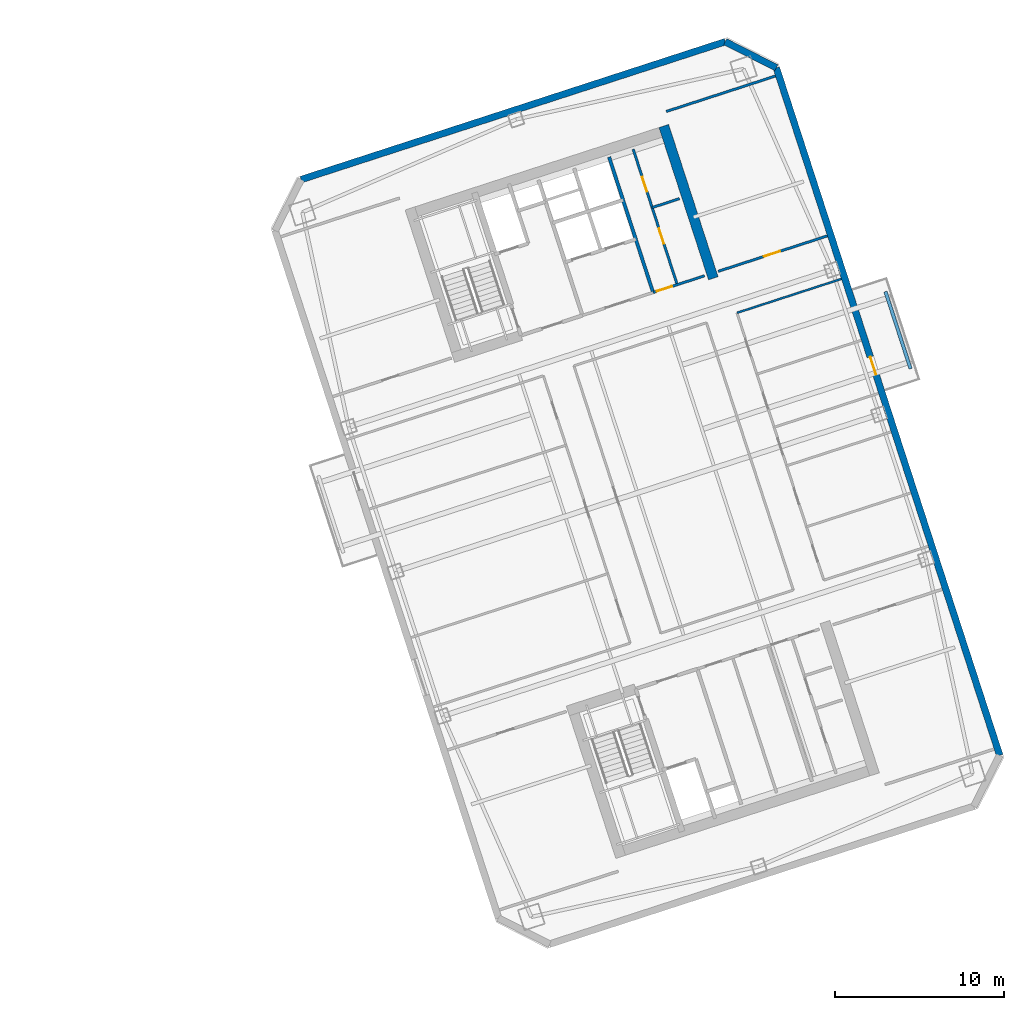
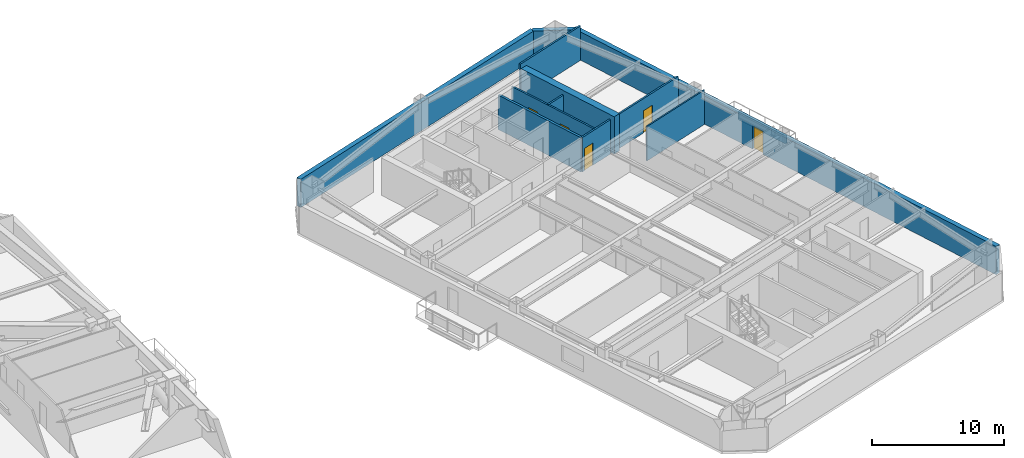
# One storey, part 11 of 17: 12 walls, 5 doors, 5 openings.
"""IFC4 building model written with IfcOpenShell, lengths in metres."""

from ifc_helpers import new_model, si_unit, direction, frame, frame_2d, origin, place, context, subcontext, project, spatial, rectangle, extrude, material, layer, layer_set, type_object, element, fill, save


model = new_model("IFC4")

# Units and contexts
model_context = context("Model", 3, precision=1e-05, world=origin(), true_north=direction((0.0, 1.0)))
body_context = subcontext(model_context, "Body", "Model", "MODEL_VIEW")
ifc_project = project(units=[si_unit("LENGTHUNIT", "METRE"), si_unit("AREAUNIT", "SQUARE_METRE"), si_unit("VOLUMEUNIT", "CUBIC_METRE"), si_unit("PLANEANGLEUNIT", "RADIAN"), si_unit("MASSUNIT", "GRAM", prefix="KILO")], contexts=[model_context])

# Site, building, storey
site_placement = place(None, origin())
site = spatial("IfcSite", under=ifc_project, at=site_placement, CompositionType="ELEMENT")
building_placement = place(site_placement, origin())
building = spatial("IfcBuilding", under=site, at=building_placement, Name="Qiaolan Cultural Towers", CompositionType="ELEMENT")
storey_placement = place(building_placement, frame((0.0, 0.0, 156.39990234375)))
storey = spatial("IfcBuildingStorey", under=building, at=storey_placement, Name="L41", CompositionType="ELEMENT", Elevation=156.39990234375)

# Walls
ifc_material_1 = material(Name="Concrete C55", Category="concrete")
ifc_layer_1 = layer(ifc_material_1, 0.60009765625)
ifc_layer_set_1 = layer_set([ifc_layer_1], Name="Concrete C55")
wall_type_1 = type_object("IfcWallType", Name="WL-CORE-600", PredefinedType="SHEAR", material=ifc_layer_set_1)
wall_1_placement = place(storey_placement, frame((94.4921875, 46.710205078125, 0.0), z_axis=(0.0, 0.0, 1.0), x_axis=(-0.309010370028, 0.95105866865, 0.0)))
element("IfcWall", 1, at=wall_1_placement, inside=storey, type_object=wall_type_1, Name="L41 T2-CN East Core Shear Wall", PredefinedType="SHEAR", context=body_context, shape_type="SweptSolid", body=[
    extrude(rectangle(XDim=9.47998046875, YDim=0.60009765625, at=frame_2d((4.739990234375, 0.0))), origin(), (0.0, 0.0, 1.0), 3.4501953125),
])
ifc_material_2 = material(Name="Precast Concrete C50 Honed Stone Pier", Category="masonry")
ifc_layer_2 = layer(ifc_material_2, 0.39990234375)
ifc_layer_set_2 = layer_set([ifc_layer_2], Name="Precast Concrete C50 Honed Stone Pier")
wall_type_2 = type_object("IfcWallType", Name="WL-EXT-PIER-400", PredefinedType="SOLIDWALL", material=ifc_layer_set_2)
wall_2_placement = place(storey_placement, frame((70.091552734375, 52.55615234375, 0.0), z_axis=(0.0, 0.0, 1.0), x_axis=(0.951057580055, 0.30901372044, 0.0)))
element("IfcWall", 2, at=wall_2_placement, inside=storey, type_object=wall_type_2, Name="L41 East Tower Precast Pier Facade Wall F3", PredefinedType="SOLIDWALL", context=body_context, shape_type="SweptSolid", body=[
    extrude(rectangle(XDim=26.39990234375, YDim=0.39990234375, at=frame_2d((13.199951171875, 0.0))), origin(), (0.0, 0.0, 1.0), 2.610107421875),
])
wall_3_placement = place(storey_placement, frame((95.199462890625, 60.714111328125, 0.0), z_axis=(0.0, 0.0, 1.0), x_axis=(0.891020832027, -0.453962417932, 0.0)))
element("IfcWall", 3, at=wall_3_placement, inside=storey, type_object=wall_type_2, Name="L41 East Tower Precast Pier Facade Wall F4", PredefinedType="SOLIDWALL", context=body_context, shape_type="SweptSolid", body=[
    extrude(rectangle(XDim=3.39404296875, YDim=0.39990234375, at=frame_2d((1.697021484375, 0.0))), origin(), (0.0, 0.0, 1.0), 2.610107421875),
])

# Wall, opening, door
wall_4_placement = place(storey_placement, frame((98.2236328125, 59.17333984375, 0.0), z_axis=(0.0, 0.0, 1.0), x_axis=(0.309014228706, -0.951057414911, 0.0)))
wall_4 = element("IfcWall", 4, at=wall_4_placement, inside=storey, type_object=wall_type_2, Name="L41 East Tower Precast Pier Facade Wall F5", PredefinedType="SOLIDWALL", context=body_context, shape_type="SweptSolid", body=[
    extrude(rectangle(XDim=42.800048828125, YDim=0.39990234375, at=frame_2d((21.39990234375, 0.0))), origin(), (0.0, 0.0, 1.0), 2.610107421875),
])
opening_1_placement = place(wall_4_placement, frame((17.999267578125, 0.0, 0.0)))
opening_1 = element("IfcOpeningElement", 5, at=opening_1_placement, cuts=wall_4, Name="Opening BD-01", PredefinedType="OPENING", context=body_context, shape_type="SweptSolid", body=[
    extrude(rectangle(XDim=1.10009765625, YDim=2.14990234375, at=frame_2d((0.550048828125, 1.074951171875))), frame((0.0, 0.2099609375, 0.0), z_axis=(0.0, -1.0, 0.0), x_axis=(1.0, 0.0, 0.0)), (0.0, 0.0, 1.0), 0.419921875),
])
ifc_material_3 = material(Name="Thermally Broken Aluminium Glazed Terrace Door", Category="aluminium")
door_type_1 = type_object("IfcDoorType", Name="DR-BAL-1100", OperationType="NOTDEFINED", PredefinedType="DOOR", material=ifc_material_3)
door_1_placement = place(opening_1_placement, origin())
door_1 = element("IfcDoor", 6, at=door_1_placement, inside=storey, type_object=door_type_1, Name="L41 T2 East Tree Balcony Door", OperationType="SINGLE_SWING_RIGHT", OverallHeight=2.14990234375, OverallWidth=1.10009765625, PredefinedType="DOOR", context=body_context, shape_type="SweptSolid", body=[
    extrude(rectangle(XDim=1.10009765625, YDim=2.14990234375, at=frame_2d((0.550048828125, 1.074951171875))), frame((0.0, 0.02490234375, 0.0), z_axis=(0.0, -1.0, 0.0), x_axis=(1.0, 0.0, 0.0)), (0.0, 0.0, 1.0), 0.050048828125),
])
fill(opening_1, door_1)

# Walls
ifc_material_4 = material(Name="Concrete C35 Fire Wall", Category="concrete")
ifc_layer_3 = layer(ifc_material_4, 0.199951171875)
ifc_layer_set_3 = layer_set([ifc_layer_3], Name="Concrete C35 Fire Wall")
wall_type_3 = type_object("IfcWallType", Name="WL-FIRE-200", PredefinedType="PARTITIONING", material=ifc_layer_set_3)
wall_5_placement = place(storey_placement, frame((90.92822265625, 45.86767578125, 0.0), z_axis=(0.0, 0.0, 1.0), x_axis=(-0.309042196757, 0.951048327176, 0.0)))
element("IfcWall", 7, at=wall_5_placement, inside=storey, type_object=wall_type_3, Name="L41 T2-CN Lift Core East Wall", PredefinedType="PARTITIONING", context=body_context, shape_type="SweptSolid", body=[
    extrude(rectangle(XDim=8.429931640625, YDim=0.199951171875, at=frame_2d((4.21484375, 0.0))), origin(), (0.0, 0.0, 1.0), 3.175048828125),
])
ifc_material_5 = material(Name="Gypsum Stud Acoustic Partition", Category="gypsum")
ifc_layer_4 = layer(ifc_material_5, 0.1201171875)
ifc_layer_set_4 = layer_set([ifc_layer_4], Name="Gypsum Stud Acoustic Partition")
wall_type_4 = type_object("IfcWallType", Name="WL-PART-120", PredefinedType="PARTITIONING", material=ifc_layer_set_4)
wall_6_placement = place(storey_placement, frame((95.893310546875, 44.6630859375, 0.0), z_axis=(0.0, 0.0, 1.0), x_axis=(0.951059735424, 0.30900708674, 0.0)))
element("IfcWall", 8, at=wall_6_placement, inside=storey, type_object=wall_type_4, Name="L41 T2 Interior Wall", PredefinedType="PARTITIONING", context=body_context, shape_type="SweptSolid", body=[
    extrude(rectangle(XDim=6.5, YDim=0.1201171875, at=frame_2d((3.25, 0.0))), origin(), (0.0, 0.0, 1.0), 3.175048828125),
])

# Wall, opening, door
ifc_material_6 = material(Name="Autoclaved Aerated Concrete Block B06", Category="concrete")
ifc_layer_5 = layer(ifc_material_6, 0.14990234375)
ifc_layer_set_5 = layer_set([ifc_layer_5], Name="Autoclaved Aerated Concrete Block B06")
wall_type_5 = type_object("IfcWallType", Name="WL-PART-150", PredefinedType="PARTITIONING", material=ifc_layer_set_5)
wall_7_placement = place(storey_placement, frame((90.92822265625, 45.86767578125, 0.0), z_axis=(0.0, 0.0, 1.0), x_axis=(0.951059297078, 0.309008435874, 0.0)))
wall_7 = element("IfcWall", 9, at=wall_7_placement, inside=storey, type_object=wall_type_5, Name="L41 T2-CN Sanitary Core Front Wall", PredefinedType="PARTITIONING", context=body_context, shape_type="SweptSolid", body=[
    extrude(rectangle(XDim=3.19970703125, YDim=0.14990234375, at=frame_2d((1.599853515625, 0.0))), origin(), (0.0, 0.0, 1.0), 3.175048828125),
])
opening_2_placement = place(wall_7_placement, frame((0.219970703125, 0.0, 0.0)))
opening_2 = element("IfcOpeningElement", 10, at=opening_2_placement, cuts=wall_7, Name="Opening ID-05", PredefinedType="OPENING", context=body_context, shape_type="SweptSolid", body=[
    extrude(rectangle(XDim=0.949951171875, YDim=2.050048828125, at=frame_2d((0.47509765625, 1.02490234375))), frame((0.0, 0.0849609375, 0.0), z_axis=(0.0, -1.0, 0.0), x_axis=(1.0, 0.0, 0.0)), (0.0, 0.0, 1.0), 0.169921875),
])
ifc_material_7 = material(Name="Fire-Rated Laminate Accessible Core Door", Category="timber")
door_type_2 = type_object("IfcDoorType", Name="DR-INT-950", OperationType="NOTDEFINED", PredefinedType="DOOR", material=ifc_material_7)
door_2_placement = place(opening_2_placement, origin())
door_2 = element("IfcDoor", 11, at=door_2_placement, inside=storey, type_object=door_type_2, Name="L41 Sanitary Lobby Door", OperationType="SINGLE_SWING_LEFT", OverallHeight=2.050048828125, OverallWidth=0.949951171875, PredefinedType="DOOR", context=body_context, shape_type="SweptSolid", body=[
    extrude(rectangle(XDim=0.949951171875, YDim=2.050048828125, at=frame_2d((0.47509765625, 1.02490234375))), frame((0.0, 0.02490234375, 0.0), z_axis=(0.0, -1.0, 0.0), x_axis=(1.0, 0.0, 0.0)), (0.0, 0.0, 1.0), 0.050048828125),
])
fill(opening_2, door_2)

# Wall, openings, doors
wall_8_placement = place(storey_placement, frame((92.354736328125, 46.3310546875, 0.0), z_axis=(0.0, 0.0, 1.0), x_axis=(-0.309007490203, 0.951059604335, 0.0)))
wall_8 = element("IfcWall", 12, at=wall_8_placement, inside=storey, type_object=wall_type_5, Name="L41 T2-CN Washroom Split Wall", PredefinedType="PARTITIONING", context=body_context, shape_type="SweptSolid", body=[
    extrude(rectangle(XDim=8.43017578125, YDim=0.14990234375, at=frame_2d((4.215087890625, 0.0))), origin(), (0.0, 0.0, 1.0), 3.175048828125),
])
opening_3_placement = place(wall_8_placement, frame((2.550048828125, 0.0, 0.0)))
opening_3 = element("IfcOpeningElement", 13, at=opening_3_placement, cuts=wall_8, Name="Opening ID-05", PredefinedType="OPENING", context=body_context, shape_type="SweptSolid", body=[
    extrude(rectangle(XDim=0.949951171875, YDim=2.050048828125, at=frame_2d((0.47509765625, 1.02490234375))), frame((0.0, 0.0849609375, 0.0), z_axis=(0.0, -1.0, 0.0), x_axis=(1.0, 0.0, 0.0)), (0.0, 0.0, 1.0), 0.169921875),
])
opening_4_placement = place(wall_8_placement, frame((5.800048828125, 0.0, 0.0)))
opening_4 = element("IfcOpeningElement", 14, at=opening_4_placement, cuts=wall_8, Name="Opening ID-06", PredefinedType="OPENING", context=body_context, shape_type="SweptSolid", body=[
    extrude(rectangle(XDim=0.89990234375, YDim=2.050048828125, at=frame_2d((0.449951171875, 1.02490234375))), frame((0.0, 0.0849609375, 0.0), z_axis=(0.0, -1.0, 0.0), x_axis=(1.0, 0.0, 0.0)), (0.0, 0.0, 1.0), 0.169921875),
])
ifc_material_8 = material(Name="Fire-Rated Laminate Core Service Door", Category="timber")
door_type_3 = type_object("IfcDoorType", Name="DR-INT-900", OperationType="NOTDEFINED", PredefinedType="DOOR", material=ifc_material_8)
door_3_placement = place(opening_4_placement, origin())
door_3 = element("IfcDoor", 15, at=door_3_placement, inside=storey, type_object=door_type_3, Name="L41 First-Aid Room Door", OperationType="SINGLE_SWING_RIGHT", OverallHeight=2.050048828125, OverallWidth=0.89990234375, PredefinedType="DOOR", context=body_context, shape_type="SweptSolid", body=[
    extrude(rectangle(XDim=0.89990234375, YDim=2.050048828125, at=frame_2d((0.449951171875, 1.02490234375))), frame((0.0, 0.02490234375, 0.0), z_axis=(0.0, -1.0, 0.0), x_axis=(1.0, 0.0, 0.0)), (0.0, 0.0, 1.0), 0.050048828125),
])
fill(opening_4, door_3)
door_4_placement = place(opening_3_placement, origin())
door_4 = element("IfcDoor", 16, at=door_4_placement, inside=storey, type_object=door_type_2, Name="L41 Accessible Washroom Door", OperationType="SINGLE_SWING_LEFT", OverallHeight=2.050048828125, OverallWidth=0.949951171875, PredefinedType="DOOR", context=body_context, shape_type="SweptSolid", body=[
    extrude(rectangle(XDim=0.949951171875, YDim=2.050048828125, at=frame_2d((0.47509765625, 1.02490234375))), frame((0.0, 0.02490234375, 0.0), z_axis=(0.0, -1.0, 0.0), x_axis=(1.0, 0.0, 0.0)), (0.0, 0.0, 1.0), 0.050048828125),
])
fill(opening_3, door_4)

# Walls
wall_9_placement = place(storey_placement, frame((90.871337890625, 50.896240234375, 0.0), z_axis=(0.0, 0.0, 1.0), x_axis=(0.951054116971, 0.309024378638, 0.0)))
element("IfcWall", 17, at=wall_9_placement, inside=storey, type_object=wall_type_5, Name="L41 T2-CN First-Aid Wall", PredefinedType="PARTITIONING", context=body_context, shape_type="SweptSolid", body=[
    extrude(rectangle(XDim=1.7001953125, YDim=0.14990234375, at=frame_2d((0.85009765625, 0.0))), origin(), (0.0, 0.0, 1.0), 3.175048828125),
])
wall_10_placement = place(storey_placement, frame((91.705078125, 56.582275390625, 0.0), z_axis=(0.0, 0.0, 1.0), x_axis=(0.951057811516, 0.309013008068, 0.0)))
element("IfcWall", 18, at=wall_10_placement, inside=storey, type_object=wall_type_5, Name="L41 T2 Flank Wall FLK-NE", PredefinedType="PARTITIONING", context=body_context, shape_type="SweptSolid", body=[
    extrude(rectangle(XDim=6.800048828125, YDim=0.14990234375, at=frame_2d((3.39990234375, 0.0))), origin(), (0.0, 0.0, 1.0), 3.175048828125),
])

# Wall, opening, door
wall_11_placement = place(storey_placement, frame((94.77978515625, 47.119140625, 0.0), z_axis=(0.0, 0.0, 1.0), x_axis=(0.951057811516, 0.309013008068, 0.0)))
wall_11 = element("IfcWall", 19, at=wall_11_placement, inside=storey, type_object=wall_type_5, Name="L41 T2 Flank Front FLK-NE", PredefinedType="PARTITIONING", context=body_context, shape_type="SweptSolid", body=[
    extrude(rectangle(XDim=6.800048828125, YDim=0.14990234375, at=frame_2d((3.39990234375, 0.0))), origin(), (0.0, 0.0, 1.0), 3.175048828125),
])
opening_5_placement = place(wall_11_placement, frame((2.85595703125, 0.0, 0.0)))
opening_5 = element("IfcOpeningElement", 20, at=opening_5_placement, cuts=wall_11, Name="Opening ID-04", PredefinedType="OPENING", context=body_context, shape_type="SweptSolid", body=[
    extrude(rectangle(XDim=1.0, YDim=2.050048828125, at=frame_2d((0.5, 1.02490234375))), frame((0.0, 0.0849609375, 0.0), z_axis=(0.0, -1.0, 0.0), x_axis=(1.0, 0.0, 0.0)), (0.0, 0.0, 1.0), 0.169921875),
])
ifc_material_9 = material(Name="Oak Veneer Acoustic Office Door", Category="timber")
door_type_4 = type_object("IfcDoorType", Name="DR-INT-1000", OperationType="NOTDEFINED", PredefinedType="DOOR", material=ifc_material_9)
door_5_placement = place(opening_5_placement, origin())
door_5 = element("IfcDoor", 21, at=door_5_placement, inside=storey, type_object=door_type_4, Name="L41 T2 Corner Studio Door", OperationType="SINGLE_SWING_LEFT", OverallHeight=2.050048828125, OverallWidth=1.0, PredefinedType="DOOR", context=body_context, shape_type="SweptSolid", body=[
    extrude(rectangle(XDim=1.0, YDim=2.050048828125, at=frame_2d((0.5, 1.02490234375))), frame((0.0, 0.02490234375, 0.0), z_axis=(0.0, -1.0, 0.0), x_axis=(1.0, 0.0, 0.0)), (0.0, 0.0, 1.0), 0.050048828125),
])
fill(opening_5, door_5)

# Wall
ifc_material_10 = material(Name="Precast Concrete C45 Tree Planter Upstand", Category="concrete")
ifc_layer_6 = layer(ifc_material_10, 0.199951171875)
ifc_layer_set_6 = layer_set([ifc_layer_6], Name="Precast Concrete C45 Tree Planter Upstand")
wall_type_6 = type_object("IfcWallType", Name="WL-PLANTER-200", PredefinedType="PARAPET", material=ifc_layer_set_6)
wall_12_placement = place(storey_placement, frame((106.168212890625, 41.356201171875, 0.0), z_axis=(0.0, 0.0, 1.0), x_axis=(-0.309032019345, 0.951051634255, 0.0)))
element("IfcWall", 22, at=wall_12_placement, inside=storey, type_object=wall_type_6, Name="L41 T2 Tree Balcony Soil Planter Box E", PredefinedType="PARAPET", context=body_context, shape_type="SweptSolid", body=[
    extrude(rectangle(XDim=4.800048828125, YDim=0.199951171875, at=frame_2d((2.39990234375, 0.0))), origin(), (0.0, 0.0, 1.0), 0.75),
])

save(model, "model.ifc")
